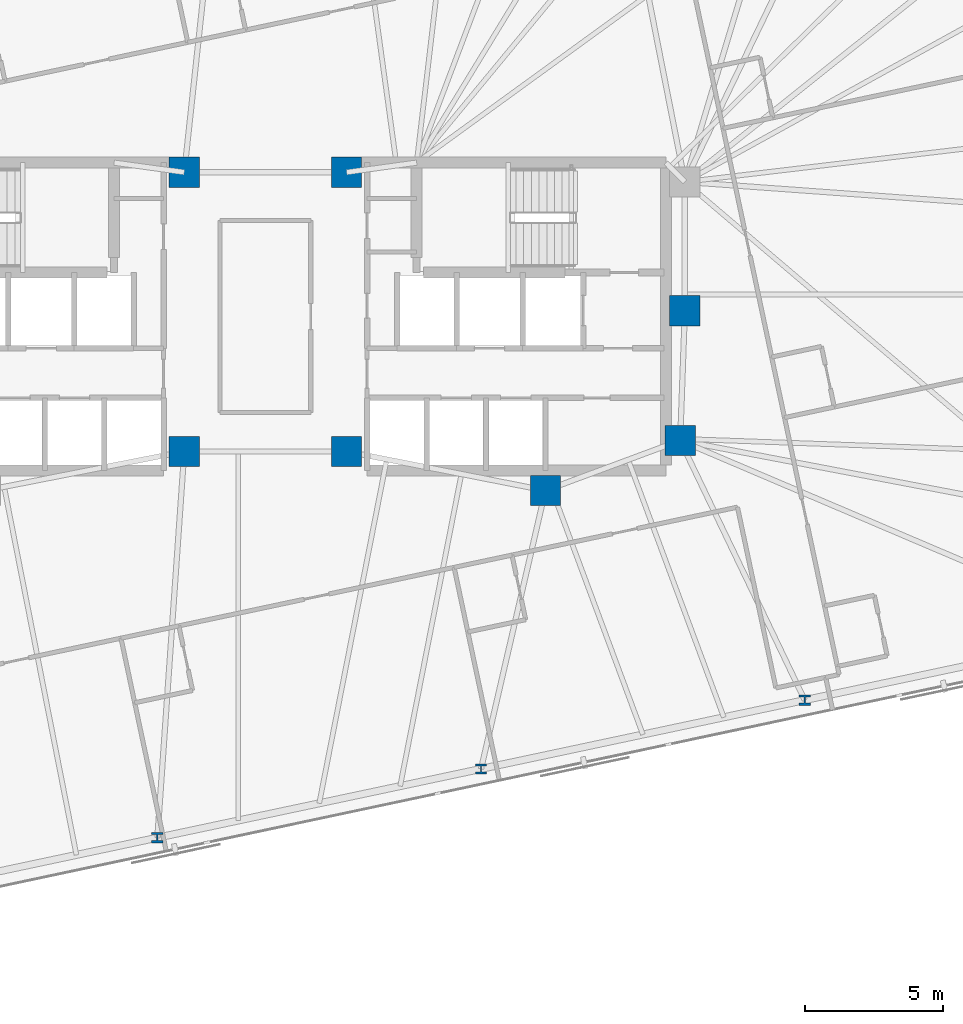
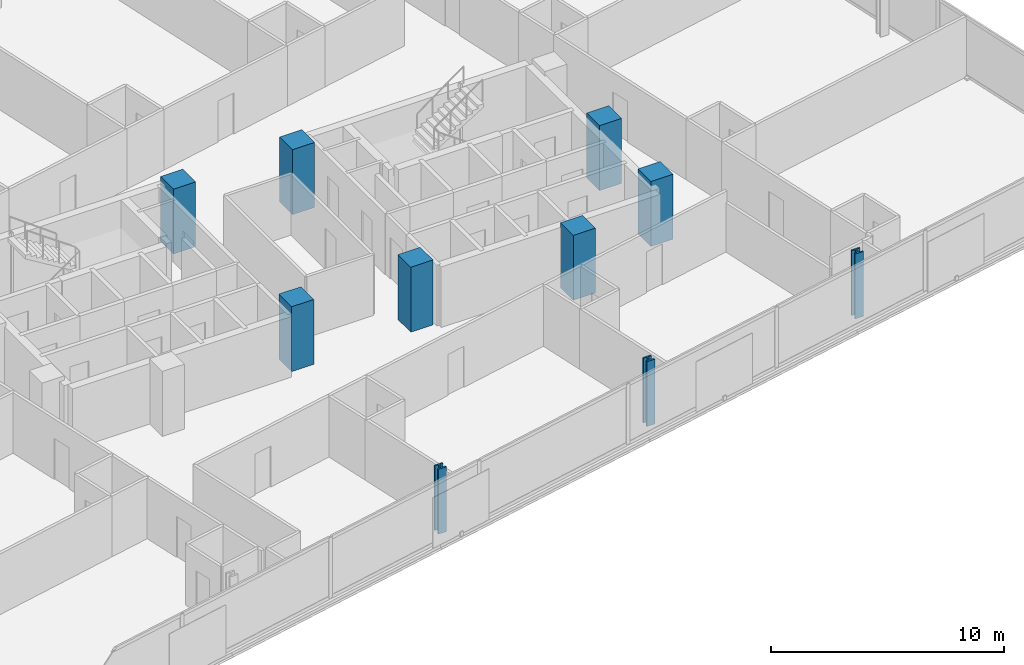
# One storey, part 3 of 19: 10 columns.
"""IFC4 building model written with IfcOpenShell, lengths in metres."""

from ifc_helpers import new_model, si_unit, direction, frame, origin, origin_2d, place, context, subcontext, project, spatial, rectangle, i_section, extrude, material, material_profile, profile_set, type_object, element, save


model = new_model("IFC4")

# Units and contexts
model_context = context("Model", 3, precision=1e-05, world=origin(), true_north=direction((0.0, 1.0)))
body_context = subcontext(model_context, "Body", "Model", "MODEL_VIEW")
ifc_project = project(units=[si_unit("LENGTHUNIT", "METRE"), si_unit("AREAUNIT", "SQUARE_METRE"), si_unit("VOLUMEUNIT", "CUBIC_METRE"), si_unit("PLANEANGLEUNIT", "RADIAN"), si_unit("MASSUNIT", "GRAM", prefix="KILO")], contexts=[model_context])

# Site, building, storey
site_placement = place(None, origin())
site = spatial("IfcSite", under=ifc_project, at=site_placement, CompositionType="ELEMENT")
building_placement = place(site_placement, origin())
building = spatial("IfcBuilding", under=site, at=building_placement, Name="Menara Jurai Vektor", CompositionType="ELEMENT")
storey_placement = place(building_placement, frame((0.0, 0.0, 182.0)))
storey = spatial("IfcBuildingStorey", under=building, at=storey_placement, Name="L47", CompositionType="ELEMENT", Elevation=182.0)

# Columns
ifc_material_1 = material(Name="Concrete C50/60", Category="concrete")
ifc_material_profile_1 = material_profile(ifc_material_1, rectangle(XDim=1.10009765625, YDim=1.10009765625, at=origin_2d()), Name="RC 1100x1100")
ifc_profile_set_1 = profile_set([ifc_material_profile_1], Name="Concrete C50/60")
column_type_1 = type_object("IfcColumnType", Name="STR-COL-RC1100", PredefinedType="COLUMN", material=ifc_profile_set_1)
for number, where, z_axis, x_axis, name in (
    (1, (-2.949951171875, -4.89990234375, 0.0), (0.0, 0.0, 1.0), (1.0, 0.0, 0.0), "Core Spine Column CW-SE L47"),
    (2, (-2.949951171875, 5.25, 0.0), (0.0, 0.0, 1.0), (1.0, 0.0, 0.0), "Core Spine Column CW-NE L47"),
    (3, (15.25, 0.219970703125, 0.0), (0.0, 0.0, 1.0), (1.0, 0.0, 0.0), "Core Spine Column CE-EM L47"),
    (4, (15.080078125, -4.5, 0.0), (0.0, 0.0, 1.0), (1.0, 0.0, 0.0), "Core Spine Column CE-SE L47"),
    (5, (10.179931640625, -6.320068359375, 0.0), (0.0, 0.0, 1.0), (1.0, 0.0, 0.0), "Core Spine Column CE-SM L47"),
    (6, (2.949951171875, -4.89990234375, 0.0), (0.0, 0.0, 1.0), (1.0, 0.0, 0.0), "Core Spine Column CE-SW L47"),
    (7, (2.949951171875, 5.25, 0.0), (0.0, 0.0, 1.0), (1.0, 0.0, 0.0), "Core Spine Column CE-NW L47"),
):
    element("IfcColumn", number, at=place(storey_placement, frame(where, z_axis=z_axis, x_axis=x_axis)), inside=storey, type_object=column_type_1, Name=name, PredefinedType="COLUMN", context=body_context, shape_type="SweptSolid", body=[
        extrude(rectangle(XDim=1.10009765625, YDim=1.10009765625, at=origin_2d()), origin(), (0.0, 0.0, 1.0), 3.39990234375),
    ])
ifc_material_2 = material(Name="Steel S460", Category="steel")
ifc_material_profile_2 = material_profile(ifc_material_2, i_section(OverallWidth=0.408935546875, OverallDepth=0.3740234375, WebThickness=0.048095703125, FlangeThickness=0.076904296875, FilletRadius=0.014892578125, at=origin_2d()), Name="HD 400x634")
ifc_profile_set_2 = profile_set([ifc_material_profile_2], Name="Steel S460")
column_type_2 = type_object("IfcColumnType", Name="STR-EXO-BLK3", PredefinedType="COLUMN", material=ifc_profile_set_2)
for number, where, z_axis, x_axis, name in (
    (8, (-3.928466796875, -18.94287109375, 0.0), (0.0, 0.0, 1.0), (1.0, 0.0, 0.0), "Exoskeleton Column BLK3-S3 L47"),
    (9, (7.83984375, -16.44140625, 0.0), (0.0, 0.0, 1.0), (1.0, 0.0, 0.0), "Exoskeleton Column BLK3-S4 L47"),
    (10, (19.608154296875, -13.940185546875, 0.0), (0.0, 0.0, 1.0), (1.0, 0.0, 0.0), "Exoskeleton Column BLK3-S5 L47"),
):
    element("IfcColumn", number, at=place(storey_placement, frame(where, z_axis=z_axis, x_axis=x_axis)), inside=storey, type_object=column_type_2, Name=name, PredefinedType="COLUMN", context=body_context, shape_type="SweptSolid", body=[
        extrude(i_section(OverallWidth=0.408935546875, OverallDepth=0.3740234375, WebThickness=0.048095703125, FlangeThickness=0.076904296875, FilletRadius=0.014892578125, at=origin_2d()), origin(), (0.0, 0.0, 1.0), 3.39990234375),
    ])

save(model, "model.ifc")
